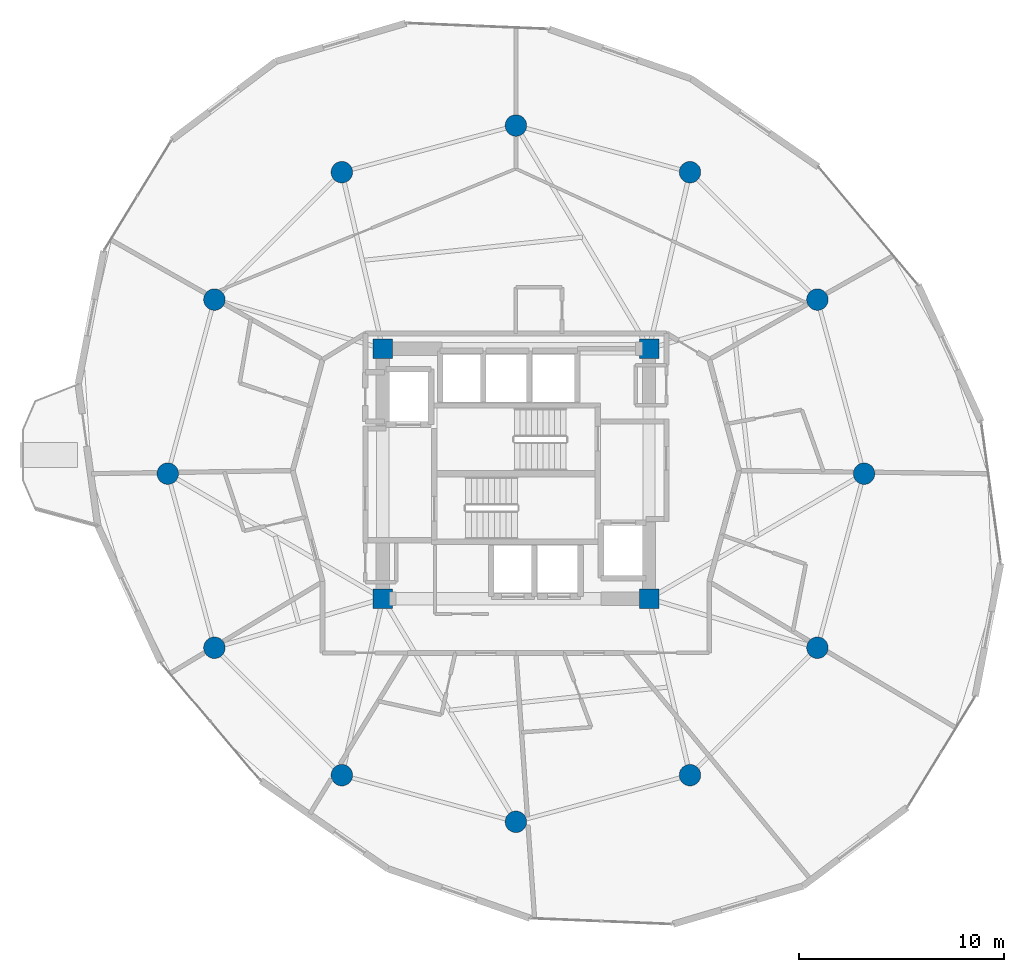
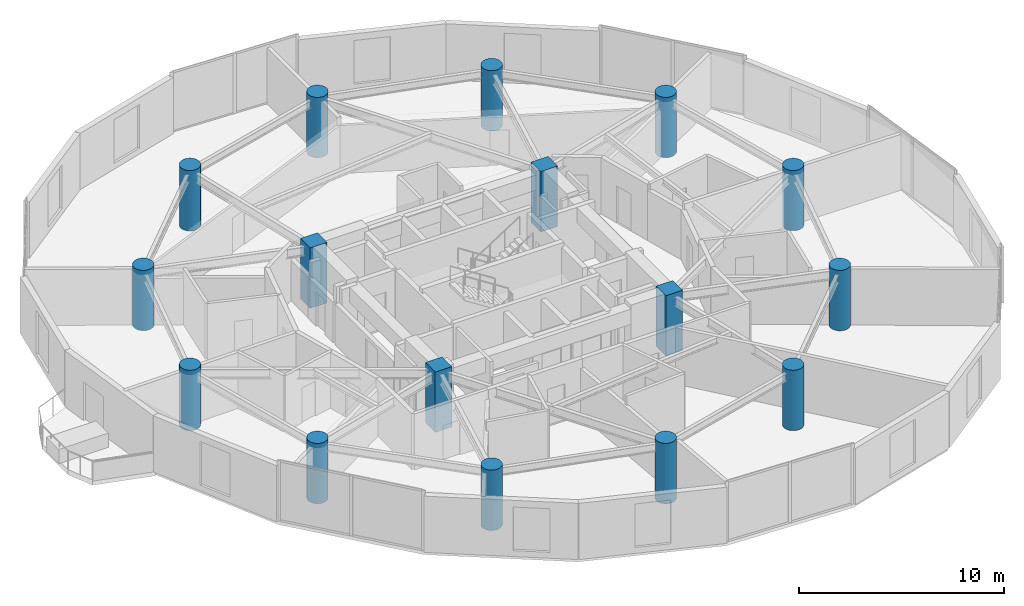
# One storey, part 1 of 23: 16 columns.
"""IFC4 building model written with IfcOpenShell, lengths in metres."""

from ifc_helpers import new_model, si_unit, direction, frame, origin, origin_2d, place, context, subcontext, project, spatial, rectangle, circle, extrude, material, material_profile, profile_set, type_object, element, save


model = new_model("IFC4")

# Units and contexts
model_context = context("Model", 3, precision=1e-05, world=origin(), true_north=direction((0.0, 1.0)))
body_context = subcontext(model_context, "Body", "Model", "MODEL_VIEW")
ifc_project = project(units=[si_unit("LENGTHUNIT", "METRE"), si_unit("AREAUNIT", "SQUARE_METRE"), si_unit("VOLUMEUNIT", "CUBIC_METRE"), si_unit("PLANEANGLEUNIT", "RADIAN"), si_unit("MASSUNIT", "GRAM", prefix="KILO")], contexts=[model_context])

# Site, building, storey
site_placement = place(None, origin())
site = spatial("IfcSite", under=ifc_project, at=site_placement, CompositionType="ELEMENT")
building_placement = place(site_placement, origin())
building = spatial("IfcBuilding", under=site, at=building_placement, Name="Solvirekh Grand Hotel", CompositionType="ELEMENT")
storey_placement = place(building_placement, frame((0.0, 0.0, 138.60009765625)))
storey = spatial("IfcBuildingStorey", under=building, at=storey_placement, Name="L35", CompositionType="ELEMENT", Elevation=138.60009765625)

# Columns
ifc_material = material(Name="Concrete C50/60", Category="concrete")
ifc_material_profile_1 = material_profile(ifc_material, rectangle(XDim=0.949951171875, YDim=0.949951171875, at=origin_2d()), Name="RC 950X950")
ifc_profile_set_1 = profile_set([ifc_material_profile_1], Name="Concrete C50/60")
column_type_1 = type_object("IfcColumnType", Name="Col_Core_950", PredefinedType="COLUMN", material=ifc_profile_set_1)
for number, where, z_axis, x_axis, name in (
    (1, (-6.5, -6.10009765625, 0.0), (0.0, 0.0, 1.0), (1.0, 0.0, 0.0), "L35 core corner column CC1"),
    (2, (6.5, -6.10009765625, 0.0), (0.0, 0.0, 1.0), (1.0, 0.0, 0.0), "L35 core corner column CC2"),
    (3, (6.5, 6.10009765625, 0.0), (0.0, 0.0, 1.0), (1.0, 0.0, 0.0), "L35 core corner column CC3"),
    (4, (-6.5, 6.10009765625, 0.0), (0.0, 0.0, 1.0), (1.0, 0.0, 0.0), "L35 core corner column CC4"),
):
    element("IfcColumn", number, at=place(storey_placement, frame(where, z_axis=z_axis, x_axis=x_axis)), inside=storey, type_object=column_type_1, Name=name, PredefinedType="COLUMN", context=body_context, shape_type="SweptSolid", body=[
        extrude(rectangle(XDim=0.949951171875, YDim=0.949951171875, at=origin_2d()), origin(), (0.0, 0.0, 1.0), 3.599853515625),
    ])
ifc_material_profile_2 = material_profile(ifc_material, circle(Radius=0.52490234375, at=origin_2d()), Name="RC CIRC D1050")
ifc_profile_set_2 = profile_set([ifc_material_profile_2], Name="Concrete C50/60")
column_type_2 = type_object("IfcColumnType", Name="Col_Z2_D1050", PredefinedType="COLUMN", material=ifc_profile_set_2)
for number, where, z_axis, x_axis, name in (
    (5, (17.0, 0.0, 0.0), (0.0, 0.0, 1.0), (1.0, 0.0, 0.0), "L35 perimeter column P01"),
    (6, (14.721923828125, 8.5, 0.0), (0.0, 0.0, 1.0), (1.0, 0.0, 0.0), "L35 perimeter column P02"),
    (7, (8.5, 14.721923828125, 0.0), (0.0, 0.0, 1.0), (1.0, 0.0, 0.0), "L35 perimeter column P03"),
    (8, (0.0, 17.0, 0.0), (0.0, 0.0, 1.0), (1.0, 0.0, 0.0), "L35 perimeter column P04"),
    (9, (-8.5, 14.721923828125, 0.0), (0.0, 0.0, 1.0), (1.0, 0.0, 0.0), "L35 perimeter column P05"),
    (10, (-14.721923828125, 8.5, 0.0), (0.0, 0.0, 1.0), (1.0, 0.0, 0.0), "L35 perimeter column P06"),
    (11, (-17.0, 0.0, 0.0), (0.0, 0.0, 1.0), (1.0, 0.0, 0.0), "L35 perimeter column P07"),
    (12, (-14.721923828125, -8.5, 0.0), (0.0, 0.0, 1.0), (1.0, 0.0, 0.0), "L35 perimeter column P08"),
    (13, (-8.5, -14.721923828125, 0.0), (0.0, 0.0, 1.0), (1.0, 0.0, 0.0), "L35 perimeter column P09"),
    (14, (0.0, -17.0, 0.0), (0.0, 0.0, 1.0), (1.0, 0.0, 0.0), "L35 perimeter column P10"),
    (15, (8.5, -14.721923828125, 0.0), (0.0, 0.0, 1.0), (1.0, 0.0, 0.0), "L35 perimeter column P11"),
    (16, (14.721923828125, -8.5, 0.0), (0.0, 0.0, 1.0), (1.0, 0.0, 0.0), "L35 perimeter column P12"),
):
    element("IfcColumn", number, at=place(storey_placement, frame(where, z_axis=z_axis, x_axis=x_axis)), inside=storey, type_object=column_type_2, Name=name, PredefinedType="COLUMN", context=body_context, shape_type="SweptSolid", body=[
        extrude(circle(Radius=0.52490234375, at=origin_2d()), origin(), (0.0, 0.0, 1.0), 3.599853515625),
    ])

save(model, "model.ifc")
